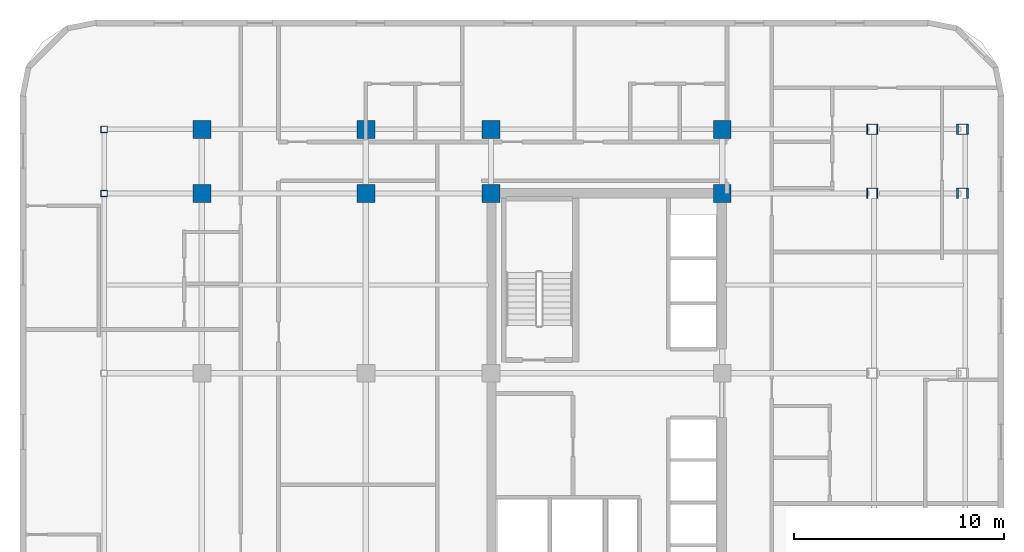
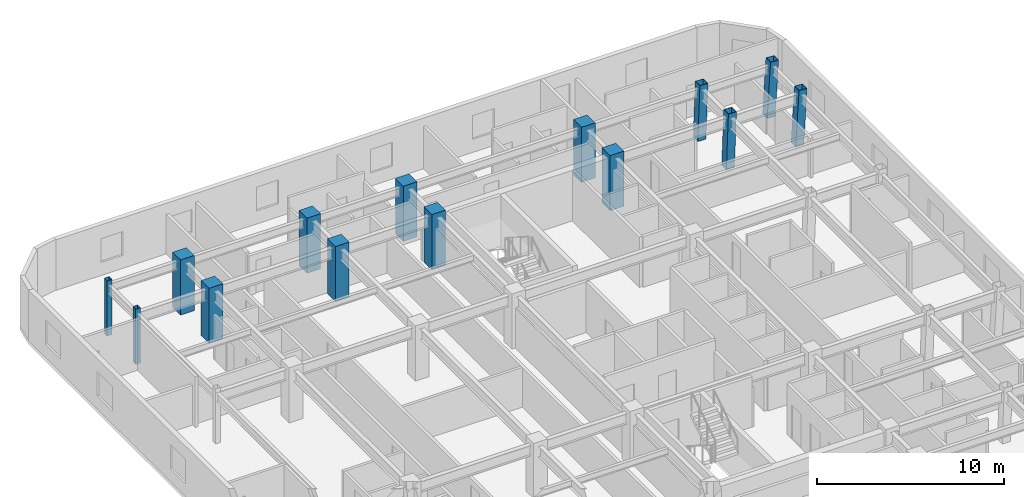
# One storey, part 3 of 11: 14 columns.
"""IFC4 building model written with IfcOpenShell, lengths in metres."""

from ifc_helpers import new_model, si_unit, direction, frame, origin, origin_2d, place, context, subcontext, project, spatial, rectangle, hollow_rectangle, extrude, material, material_profile, profile_set, type_object, element, save


model = new_model("IFC4")

# Units and contexts
model_context = context("Model", 3, precision=1e-05, world=origin(), true_north=direction((0.0, 1.0)))
body_context = subcontext(model_context, "Body", "Model", "MODEL_VIEW")
ifc_project = project(units=[si_unit("LENGTHUNIT", "METRE"), si_unit("AREAUNIT", "SQUARE_METRE"), si_unit("VOLUMEUNIT", "CUBIC_METRE"), si_unit("PLANEANGLEUNIT", "RADIAN"), si_unit("MASSUNIT", "GRAM", prefix="KILO")], contexts=[model_context])

# Site, building, storey
site_placement = place(None, origin())
site = spatial("IfcSite", under=ifc_project, at=site_placement, CompositionType="ELEMENT")
building_placement = place(site_placement, origin())
building = spatial("IfcBuilding", under=site, at=building_placement, Name="Ochreholt Gables", CompositionType="ELEMENT")
storey_placement = place(building_placement, frame((0.0, 0.0, 67.800048828125)))
storey = spatial("IfcBuildingStorey", under=building, at=storey_placement, Name="L17", CompositionType="ELEMENT", Elevation=67.800048828125)

# Columns
ifc_material_1 = material(Name="Steel CSA G40.21 350W", Category="steel")
ifc_material_profile_1 = material_profile(ifc_material_1, hollow_rectangle(XDim=0.304931640625, YDim=0.304931640625, WallThickness=0.0126953125, at=origin_2d()), Name="HSS305X305X13")
ifc_profile_set_1 = profile_set([ifc_material_profile_1], Name="Steel CSA G40.21 350W")
column_type_1 = type_object("IfcColumnType", Name="COL-HSS305-EXT", PredefinedType="COLUMN", material=ifc_profile_set_1)
for number, where, z_axis, x_axis, name in (
    (1, (5.800048828125, 38.75, 0.0), (0.0, 0.0, 1.0), (1.0, 0.0, 0.0), "L17 Column WTY5"),
    (2, (5.800048828125, 41.800048828125, 0.0), (0.0, 0.0, 1.0), (1.0, 0.0, 0.0), "L17 Column WTY6"),
):
    element("IfcColumn", number, at=place(storey_placement, frame(where, z_axis=z_axis, x_axis=x_axis)), inside=storey, type_object=column_type_1, Name=name, PredefinedType="COLUMN", context=body_context, shape_type="SweptSolid", body=[
        extrude(hollow_rectangle(XDim=0.304931640625, YDim=0.304931640625, WallThickness=0.0126953125, at=origin_2d()), origin(), (0.0, 0.0, 1.0), 3.599853515625),
    ])
ifc_material_profile_2 = material_profile(ifc_material_1, hollow_rectangle(XDim=0.5, YDim=0.5, WallThickness=0.02197265625, at=origin_2d()), Name="HSS500X500X22")
ifc_profile_set_2 = profile_set([ifc_material_profile_2], Name="Steel CSA G40.21 350W")
column_type_2 = type_object("IfcColumnType", Name="COL-HSS500-RAK", PredefinedType="COLUMN", material=ifc_profile_set_2)
column_1_placement = place(storey_placement, frame((42.30908203125, 38.75, 0.0), z_axis=(0.034973505036, 0.0, 0.999388239847), x_axis=(0.0, 1.0, 0.0)))
element("IfcColumn", 3, at=column_1_placement, inside=storey, type_object=column_type_2, Name="L17 Column EMY5", PredefinedType="COLUMN", context=body_context, shape_type="SweptSolid", body=[
    extrude(hollow_rectangle(XDim=0.5, YDim=0.5, WallThickness=0.02197265625, at=origin_2d()), origin(), (0.0, 0.0, 1.0), 3.60205078125),
])
ifc_material_profile_3 = material_profile(ifc_material_1, hollow_rectangle(XDim=0.5, YDim=0.5, WallThickness=0.02197265625, at=origin_2d()), Name="HSS500X500X22")
ifc_profile_set_3 = profile_set([ifc_material_profile_3], Name="Steel CSA G40.21 350W")
column_type_3 = type_object("IfcColumnType", Name="COL-HSS500-RAKE", PredefinedType="COLUMN", material=ifc_profile_set_3)
column_2_placement = place(storey_placement, frame((42.30908203125, 41.800048828125, 0.0), z_axis=(0.034973505036, 0.0, 0.999388239847), x_axis=(0.0, 1.0, 0.0)))
element("IfcColumn", 4, at=column_2_placement, inside=storey, type_object=column_type_3, Name="L17 Column EMY6", PredefinedType="COLUMN", context=body_context, shape_type="SweptSolid", body=[
    extrude(hollow_rectangle(XDim=0.5, YDim=0.5, WallThickness=0.02197265625, at=origin_2d()), origin(), (0.0, 0.0, 1.0), 3.60205078125),
])
for number, where, z_axis, x_axis, name in (
    (5, (46.589111328125, 38.75, 0.0), (0.057955997462, 0.0, 0.998319138531), (0.0, 1.0, 0.0), "L17 Column EEY5"),
    (6, (46.589111328125, 41.800048828125, 0.0), (0.057955997462, 0.0, 0.998319138531), (0.0, 1.0, 0.0), "L17 Column EEY6"),
):
    element("IfcColumn", number, at=place(storey_placement, frame(where, z_axis=z_axis, x_axis=x_axis)), inside=storey, type_object=column_type_3, Name=name, PredefinedType="COLUMN", context=body_context, shape_type="SweptSolid", body=[
        extrude(hollow_rectangle(XDim=0.5, YDim=0.5, WallThickness=0.02197265625, at=origin_2d()), origin(), (0.0, 0.0, 1.0), 3.60595703125),
    ])
ifc_material_2 = material(Name="Concrete 60 MPa", Category="concrete")
ifc_material_profile_4 = material_profile(ifc_material_2, rectangle(XDim=0.85009765625, YDim=0.85009765625, at=origin_2d()), Name="RC850X850")
ifc_profile_set_4 = profile_set([ifc_material_profile_4], Name="Concrete 60 MPa")
column_type_4 = type_object("IfcColumnType", Name="COL-RC850-EXT", PredefinedType="COLUMN", material=ifc_profile_set_4)
for number, where, z_axis, x_axis, name in (
    (7, (10.449951171875, 41.800048828125, 0.0), (0.0, 0.0, 1.0), (1.0, 0.0, 0.0), "L17 Column W2Y6"),
    (8, (18.25, 41.800048828125, 0.0), (0.0, 0.0, 1.0), (1.0, 0.0, 0.0), "L17 Column W3Y6"),
    (9, (24.199951171875, 41.800048828125, 0.0), (0.0, 0.0, 1.0), (1.0, 0.0, 0.0), "L17 Column C1Y6"),
    (10, (35.199951171875, 41.800048828125, 0.0), (0.0, 0.0, 1.0), (1.0, 0.0, 0.0), "L17 Column C2Y6"),
):
    element("IfcColumn", number, at=place(storey_placement, frame(where, z_axis=z_axis, x_axis=x_axis)), inside=storey, type_object=column_type_4, Name=name, PredefinedType="COLUMN", context=body_context, shape_type="SweptSolid", body=[
        extrude(rectangle(XDim=0.85009765625, YDim=0.85009765625, at=origin_2d()), origin(), (0.0, 0.0, 1.0), 3.599853515625),
    ])
ifc_material_profile_5 = material_profile(ifc_material_2, rectangle(XDim=0.85009765625, YDim=0.85009765625, at=origin_2d()), Name="RC850X850")
ifc_profile_set_5 = profile_set([ifc_material_profile_5], Name="Concrete 60 MPa")
column_type_5 = type_object("IfcColumnType", Name="COL-RC850-INT", PredefinedType="COLUMN", material=ifc_profile_set_5)
for number, where, z_axis, x_axis, name in (
    (11, (10.449951171875, 38.75, 0.0), (0.0, 0.0, 1.0), (1.0, 0.0, 0.0), "L17 Column W2Y5"),
    (12, (18.25, 38.75, 0.0), (0.0, 0.0, 1.0), (1.0, 0.0, 0.0), "L17 Column W3Y5"),
    (13, (24.199951171875, 38.75, 0.0), (0.0, 0.0, 1.0), (1.0, 0.0, 0.0), "L17 Column C1Y5"),
    (14, (35.199951171875, 38.75, 0.0), (0.0, 0.0, 1.0), (1.0, 0.0, 0.0), "L17 Column C2Y5"),
):
    element("IfcColumn", number, at=place(storey_placement, frame(where, z_axis=z_axis, x_axis=x_axis)), inside=storey, type_object=column_type_5, Name=name, PredefinedType="COLUMN", context=body_context, shape_type="SweptSolid", body=[
        extrude(rectangle(XDim=0.85009765625, YDim=0.85009765625, at=origin_2d()), origin(), (0.0, 0.0, 1.0), 3.599853515625),
    ])

save(model, "model.ifc")
